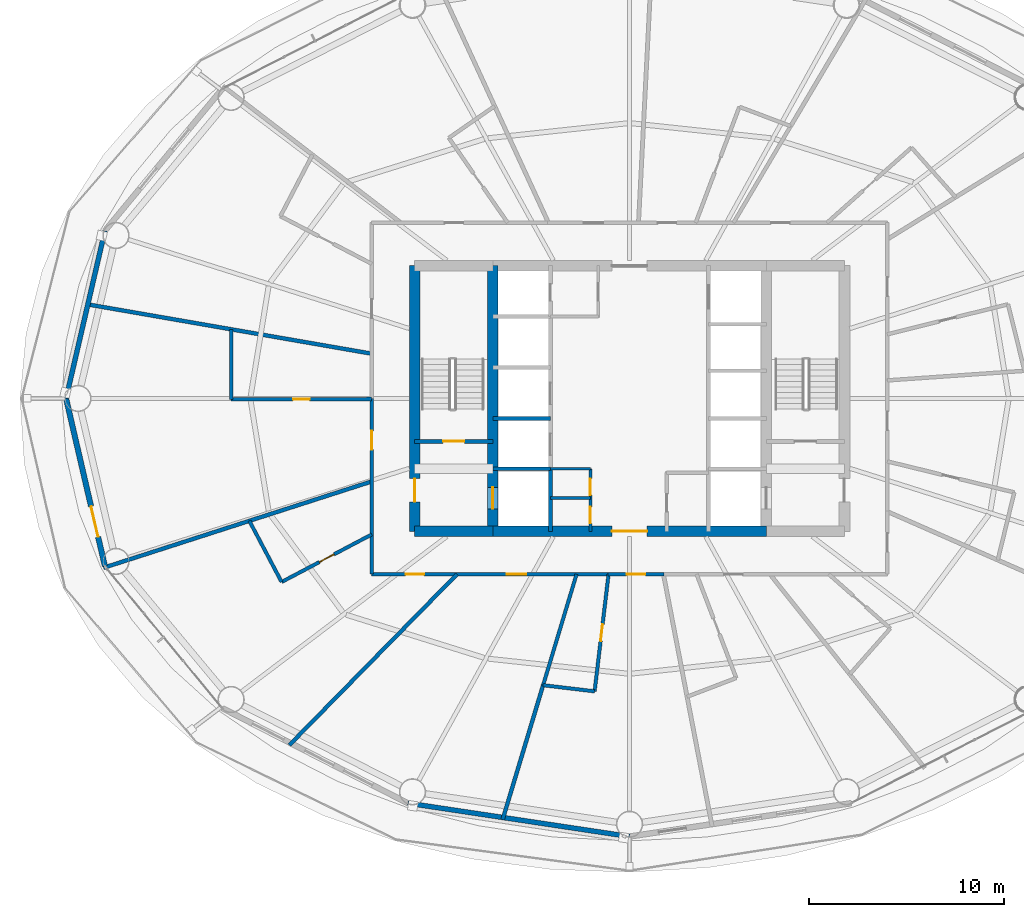
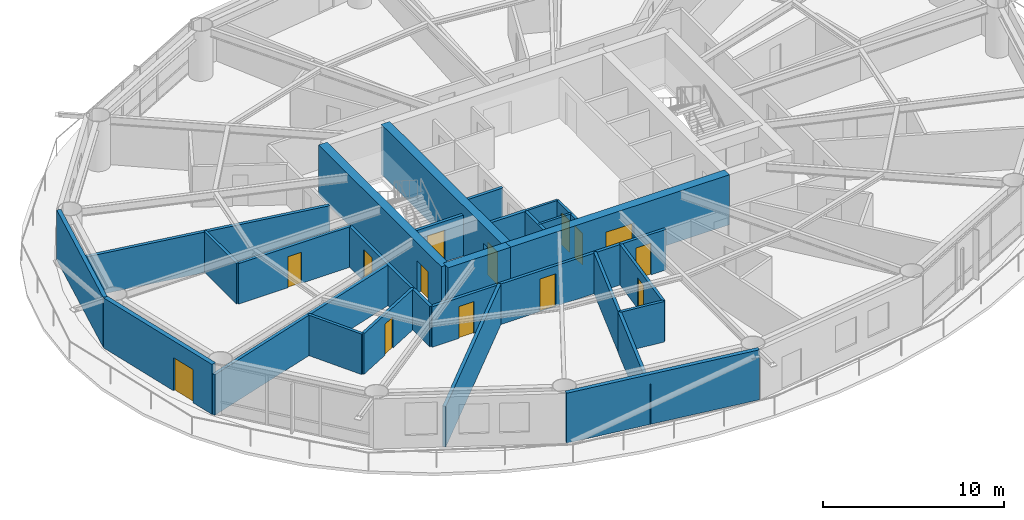
# One storey, part 18 of 24: 28 walls, 14 doors, 14 openings.
"""IFC4 building model written with IfcOpenShell, lengths in metres."""

from ifc_helpers import new_model, si_unit, direction, frame, frame_2d, origin, place, context, subcontext, project, spatial, rectangle, extrude, material, layer, layer_set, type_object, element, fill, save


model = new_model("IFC4")

# Units and contexts
model_context = context("Model", 3, precision=1e-05, world=origin(), true_north=direction((0.0, 1.0)))
body_context = subcontext(model_context, "Body", "Model", "MODEL_VIEW")
ifc_project = project(units=[si_unit("LENGTHUNIT", "METRE"), si_unit("AREAUNIT", "SQUARE_METRE"), si_unit("VOLUMEUNIT", "CUBIC_METRE"), si_unit("PLANEANGLEUNIT", "RADIAN"), si_unit("MASSUNIT", "GRAM", prefix="KILO")], contexts=[model_context])

# Site, building, storey
site_placement = place(None, origin())
site = spatial("IfcSite", under=ifc_project, at=site_placement, CompositionType="ELEMENT")
building_placement = place(site_placement, origin())
building = spatial("IfcBuilding", under=site, at=building_placement, Name="Sarneth Arch Tower", CompositionType="ELEMENT")
storey_placement = place(building_placement, frame((0.0, 0.0, 91.199951171875)))
storey = spatial("IfcBuildingStorey", under=building, at=storey_placement, Name="L22", CompositionType="ELEMENT", Elevation=91.199951171875)

# Wall
ifc_material_1 = material(Name="Concrete C60/75", Category="concrete")
ifc_layer_1 = layer(ifc_material_1, 0.550048828125)
ifc_layer_set_1 = layer_set([ifc_layer_1], Name="Concrete C60/75")
wall_type_1 = type_object("IfcWallType", Name="WALL-CORE-550", PredefinedType="SHEAR", material=ifc_layer_set_1)
wall_1_placement = place(storey_placement, frame((37.0, 35.199951171875, 0.0), z_axis=(0.0, 0.0, 1.0), x_axis=(1.0, 0.0, 0.0)))
element("IfcWall", 1, at=wall_1_placement, inside=storey, type_object=wall_type_1, Name="L22 Core shear wall S-W", PredefinedType="SHEAR", context=body_context, shape_type="SweptSolid", body=[
    extrude(rectangle(XDim=4.0, YDim=0.550048828125, at=frame_2d((2.0, 0.0))), origin(), (0.0, 0.0, 1.0), 3.380126953125),
])

# Wall, opening, door
wall_2_placement = place(storey_placement, frame((41.0, 35.199951171875, 0.0), z_axis=(0.0, 0.0, 1.0), x_axis=(1.0, 0.0, 0.0)))
wall_2 = element("IfcWall", 2, at=wall_2_placement, inside=storey, type_object=wall_type_1, Name="L22 Core shear wall S-M", PredefinedType="SHEAR", context=body_context, shape_type="SweptSolid", body=[
    extrude(rectangle(XDim=14.0, YDim=0.550048828125, at=frame_2d((7.0, 0.0))), origin(), (0.0, 0.0, 1.0), 3.380126953125),
])
opening_1_placement = place(wall_2_placement, frame((6.10009765625, 0.0, 0.0)))
opening_1 = element("IfcOpeningElement", 3, at=opening_1_placement, cuts=wall_2, Name="Opening FD-01", PredefinedType="OPENING", context=body_context, shape_type="SweptSolid", body=[
    extrude(rectangle(XDim=1.800048828125, YDim=2.25, at=frame_2d((0.89990234375, 1.125))), frame((0.0, 0.284912109375, 0.0), z_axis=(0.0, -1.0, 0.0), x_axis=(1.0, 0.0, 0.0)), (0.0, 0.0, 1.0), 0.570068359375),
])
ifc_material_2 = material(Name="Galvanised Steel S275 fire door set", Category="steel")
door_type_1 = type_object("IfcDoorType", Name="DR-FD90-1800", OperationType="DOUBLE_DOOR_SINGLE_SWING", PredefinedType="DOOR", material=ifc_material_2)
door_1_placement = place(opening_1_placement, origin())
door_1 = element("IfcDoor", 4, at=door_1_placement, inside=storey, type_object=door_type_1, Name="L22 Central lift lobby south door", OperationType="DOUBLE_DOOR_SINGLE_SWING", OverallHeight=2.25, OverallWidth=1.800048828125, PredefinedType="DOOR", context=body_context, shape_type="SweptSolid", body=[
    extrude(rectangle(XDim=1.800048828125, YDim=2.25, at=frame_2d((0.89990234375, 1.125))), frame((0.0, 0.02490234375, 0.0), z_axis=(0.0, -1.0, 0.0), x_axis=(1.0, 0.0, 0.0)), (0.0, 0.0, 1.0), 0.050048828125),
])
fill(opening_1, door_1)

wall_3_placement = place(storey_placement, frame((37.0, 35.199951171875, 0.0), z_axis=(0.0, 0.0, 1.0), x_axis=(0.0, 1.0, 0.0)))
wall_3 = element("IfcWall", 5, at=wall_3_placement, inside=storey, type_object=wall_type_1, Name="L22 Core shear wall W", PredefinedType="SHEAR", context=body_context, shape_type="SweptSolid", body=[
    extrude(rectangle(XDim=13.60009765625, YDim=0.550048828125, at=frame_2d((6.800048828125, 0.0))), origin(), (0.0, 0.0, 1.0), 3.380126953125),
])
opening_2_placement = place(wall_3_placement, frame((1.5, 0.0, 0.0)))
opening_2 = element("IfcOpeningElement", 6, at=opening_2_placement, cuts=wall_3, Name="Opening FD-02", PredefinedType="OPENING", context=body_context, shape_type="SweptSolid", body=[
    extrude(rectangle(XDim=1.199951171875, YDim=2.14990234375, at=frame_2d((0.60009765625, 1.074951171875))), frame((0.0, 0.284912109375, 0.0), z_axis=(0.0, -1.0, 0.0), x_axis=(1.0, 0.0, 0.0)), (0.0, 0.0, 1.0), 0.570068359375),
])
ifc_material_3 = material(Name="Galvanised Steel S275 fire door set", Category="steel")
door_type_2 = type_object("IfcDoorType", Name="DR-FD90-1200", OperationType="SINGLE_SWING_LEFT", PredefinedType="DOOR", material=ifc_material_3)
door_2_placement = place(opening_2_placement, origin())
door_2 = element("IfcDoor", 7, at=door_2_placement, inside=storey, type_object=door_type_2, Name="L22 Firefighting lobby 1 exit door", OperationType="SINGLE_SWING_LEFT", OverallHeight=2.14990234375, OverallWidth=1.199951171875, PredefinedType="DOOR", context=body_context, shape_type="SweptSolid", body=[
    extrude(rectangle(XDim=1.199951171875, YDim=2.14990234375, at=frame_2d((0.60009765625, 1.074951171875))), frame((0.0, 0.02490234375, 0.0), z_axis=(0.0, -1.0, 0.0), x_axis=(1.0, 0.0, 0.0)), (0.0, 0.0, 1.0), 0.050048828125),
])
fill(opening_2, door_2)

wall_4_placement = place(storey_placement, frame((41.0, 35.199951171875, 0.0), z_axis=(0.0, 0.0, 1.0), x_axis=(0.0, 1.0, 0.0)))
wall_4 = element("IfcWall", 8, at=wall_4_placement, inside=storey, type_object=wall_type_1, Name="L22 Core shear wall WEB-W", PredefinedType="SHEAR", context=body_context, shape_type="SweptSolid", body=[
    extrude(rectangle(XDim=13.60009765625, YDim=0.550048828125, at=frame_2d((6.800048828125, 0.0))), origin(), (0.0, 0.0, 1.0), 3.380126953125),
])
opening_3_placement = place(wall_4_placement, frame((1.14990234375, 0.0, 0.0)))
opening_3 = element("IfcOpeningElement", 9, at=opening_3_placement, cuts=wall_4, Name="Opening LD-1", PredefinedType="OPENING", context=body_context, shape_type="SweptSolid", body=[
    extrude(rectangle(XDim=1.10009765625, YDim=2.199951171875, at=frame_2d((0.550048828125, 1.10009765625))), frame((0.0, 0.284912109375, 0.0), z_axis=(0.0, -1.0, 0.0), x_axis=(1.0, 0.0, 0.0)), (0.0, 0.0, 1.0), 0.570068359375),
])
ifc_material_4 = material(Name="Brushed Stainless Steel 304 lift landing door", Category="steel")
door_type_3 = type_object("IfcDoorType", Name="DR-LIFT-SLIDE-1100", OperationType="SLIDING_TO_LEFT", PredefinedType="DOOR", material=ifc_material_4)
door_3_placement = place(opening_3_placement, origin())
door_3 = element("IfcDoor", 10, at=door_3_placement, inside=storey, type_object=door_type_3, Name="L22 Firefighting lift landing door FL-1", OperationType="SLIDING_TO_LEFT", OverallHeight=2.199951171875, OverallWidth=1.10009765625, PredefinedType="DOOR", context=body_context, shape_type="SweptSolid", body=[
    extrude(rectangle(XDim=1.10009765625, YDim=2.199951171875, at=frame_2d((0.550048828125, 1.10009765625))), frame((0.0, 0.02490234375, 0.0), z_axis=(0.0, -1.0, 0.0), x_axis=(1.0, 0.0, 0.0)), (0.0, 0.0, 1.0), 0.050048828125),
])
fill(opening_3, door_3)

# Wall, openings, doors
ifc_material_5 = material(Name="Double steel-stud corridor fire wall", Category="steel")
ifc_layer_2 = layer(ifc_material_5, 0.18994140625)
ifc_layer_set_2 = layer_set([ifc_layer_2], Name="Double steel-stud corridor fire wall")
wall_type_2 = type_object("IfcWallType", Name="WALL-CORR-190", PredefinedType="PARTITIONING", material=ifc_layer_set_2)
wall_5_placement = place(storey_placement, frame((46.958984375, 33.0, 0.0), z_axis=(0.0, 0.0, 1.0), x_axis=(-1.0, 0.0, 0.0)))
wall_5 = element("IfcWall", 11, at=wall_5_placement, inside=storey, type_object=wall_type_2, Name="L22 Interior partition W-L22-TP-019", PredefinedType="PARTITIONING", context=body_context, shape_type="SweptSolid", body=[
    extrude(rectangle(XDim=12.158935546875, YDim=0.18994140625, at=frame_2d((6.07958984375, 0.0))), origin(), (0.0, 0.0, 1.0), 2.739990234375),
])
opening_4_placement = place(wall_5_placement, frame((4.23681640625, 0.0, 0.0)))
opening_4 = element("IfcOpeningElement", 12, at=opening_4_placement, cuts=wall_5, Name="Opening FD-08", PredefinedType="OPENING", context=body_context, shape_type="SweptSolid", body=[
    extrude(rectangle(XDim=1.0, YDim=2.199951171875, at=frame_2d((0.5, 1.10009765625))), frame((0.0, 0.10498046875, 0.0), z_axis=(0.0, -1.0, 0.0), x_axis=(1.0, 0.0, 0.0)), (0.0, 0.0, 1.0), 0.2099609375),
])
opening_5_placement = place(wall_5_placement, frame((9.477783203125, 0.0, 0.0)))
opening_5 = element("IfcOpeningElement", 13, at=opening_5_placement, cuts=wall_5, Name="Opening FD-09", PredefinedType="OPENING", context=body_context, shape_type="SweptSolid", body=[
    extrude(rectangle(XDim=0.949951171875, YDim=2.14990234375, at=frame_2d((0.47509765625, 1.074951171875))), frame((0.0, 0.10498046875, 0.0), z_axis=(0.0, -1.0, 0.0), x_axis=(1.0, 0.0, 0.0)), (0.0, 0.0, 1.0), 0.2099609375),
])
ifc_material_6 = material(Name="Hardwood timber acoustic fire door", Category="wood")
door_type_4 = type_object("IfcDoorType", Name="DR-FD60-1000", OperationType="SINGLE_SWING_LEFT", PredefinedType="DOOR", material=ifc_material_6)
door_4_placement = place(opening_4_placement, origin())
door_4 = element("IfcDoor", 14, at=door_4_placement, inside=storey, type_object=door_type_4, Name="L22 Interior door DR-L22-AMN-09", OperationType="SINGLE_SWING_LEFT", OverallHeight=2.199951171875, OverallWidth=1.0, PredefinedType="DOOR", context=body_context, shape_type="SweptSolid", body=[
    extrude(rectangle(XDim=1.0, YDim=2.199951171875, at=frame_2d((0.5, 1.10009765625))), frame((0.0, 0.02490234375, 0.0), z_axis=(0.0, -1.0, 0.0), x_axis=(1.0, 0.0, 0.0)), (0.0, 0.0, 1.0), 0.050048828125),
])
fill(opening_4, door_4)
ifc_material_7 = material(Name="Hardwood timber hotel entrance fire door", Category="wood")
door_type_5 = type_object("IfcDoorType", Name="DR-FD60-950", OperationType="SINGLE_SWING_RIGHT", PredefinedType="DOOR", material=ifc_material_7)
door_5_placement = place(opening_5_placement, origin())
door_5 = element("IfcDoor", 15, at=door_5_placement, inside=storey, type_object=door_type_5, Name="L22 Interior door DR-L22-KEY-08", OperationType="SINGLE_SWING_RIGHT", OverallHeight=2.14990234375, OverallWidth=0.949951171875, PredefinedType="DOOR", context=body_context, shape_type="SweptSolid", body=[
    extrude(rectangle(XDim=0.949951171875, YDim=2.14990234375, at=frame_2d((0.47509765625, 1.074951171875))), frame((0.0, 0.02490234375, 0.0), z_axis=(0.0, -1.0, 0.0), x_axis=(1.0, 0.0, 0.0)), (0.0, 0.0, 1.0), 0.050048828125),
])
fill(opening_5, door_5)

# Wall, opening, door
wall_6_placement = place(storey_placement, frame((34.800048828125, 33.0, 0.0), z_axis=(0.0, 0.0, 1.0), x_axis=(0.0, 1.0, 0.0)))
wall_6 = element("IfcWall", 16, at=wall_6_placement, inside=storey, type_object=wall_type_2, Name="L22 Interior partition W-L22-TP-014", PredefinedType="PARTITIONING", context=body_context, shape_type="SweptSolid", body=[
    extrude(rectangle(XDim=9.003662109375, YDim=0.18994140625, at=frame_2d((4.501953125, 0.0))), origin(), (0.0, 0.0, 1.0), 2.739990234375),
])
opening_6_placement = place(wall_6_placement, frame((6.385009765625, 0.0, 0.0)))
opening_6 = element("IfcOpeningElement", 17, at=opening_6_placement, cuts=wall_6, Name="Opening FD-09", PredefinedType="OPENING", context=body_context, shape_type="SweptSolid", body=[
    extrude(rectangle(XDim=0.949951171875, YDim=2.14990234375, at=frame_2d((0.47509765625, 1.074951171875))), frame((0.0, 0.10498046875, 0.0), z_axis=(0.0, -1.0, 0.0), x_axis=(1.0, 0.0, 0.0)), (0.0, 0.0, 1.0), 0.2099609375),
])
door_6_placement = place(opening_6_placement, origin())
door_6 = element("IfcDoor", 18, at=door_6_placement, inside=storey, type_object=door_type_5, Name="L22 Interior door DR-L22-KEY-07", OperationType="SINGLE_SWING_RIGHT", OverallHeight=2.14990234375, OverallWidth=0.949951171875, PredefinedType="DOOR", context=body_context, shape_type="SweptSolid", body=[
    extrude(rectangle(XDim=0.949951171875, YDim=2.14990234375, at=frame_2d((0.47509765625, 1.074951171875))), frame((0.0, 0.02490234375, 0.0), z_axis=(0.0, -1.0, 0.0), x_axis=(1.0, 0.0, 0.0)), (0.0, 0.0, 1.0), 0.050048828125),
])
fill(opening_6, door_6)

wall_7_placement = place(storey_placement, frame((49.76953125, 33.0, 0.0), z_axis=(0.0, 0.0, 1.0), x_axis=(-1.0, 0.0, 0.0)))
wall_7 = element("IfcWall", 19, at=wall_7_placement, inside=storey, type_object=wall_type_2, Name="L22 Interior partition W-L22-TP-020", PredefinedType="PARTITIONING", context=body_context, shape_type="SweptSolid", body=[
    extrude(rectangle(XDim=2.875, YDim=0.18994140625, at=frame_2d((1.4375, 0.0))), origin(), (0.0, 0.0, 1.0), 2.739990234375),
])
opening_7_placement = place(wall_7_placement, frame((0.96240234375, 0.0, 0.0)))
opening_7 = element("IfcOpeningElement", 20, at=opening_7_placement, cuts=wall_7, Name="Opening FD-09", PredefinedType="OPENING", context=body_context, shape_type="SweptSolid", body=[
    extrude(rectangle(XDim=0.949951171875, YDim=2.14990234375, at=frame_2d((0.47509765625, 1.074951171875))), frame((0.0, 0.10498046875, 0.0), z_axis=(0.0, -1.0, 0.0), x_axis=(1.0, 0.0, 0.0)), (0.0, 0.0, 1.0), 0.2099609375),
])
door_7_placement = place(opening_7_placement, origin())
door_7 = element("IfcDoor", 21, at=door_7_placement, inside=storey, type_object=door_type_5, Name="L22 Interior door DR-L22-KEY-10", OperationType="SINGLE_SWING_RIGHT", OverallHeight=2.14990234375, OverallWidth=0.949951171875, PredefinedType="DOOR", context=body_context, shape_type="SweptSolid", body=[
    extrude(rectangle(XDim=0.949951171875, YDim=2.14990234375, at=frame_2d((0.47509765625, 1.074951171875))), frame((0.0, 0.02490234375, 0.0), z_axis=(0.0, -1.0, 0.0), x_axis=(1.0, 0.0, 0.0)), (0.0, 0.0, 1.0), 0.050048828125),
])
fill(opening_7, door_7)

# Walls
ifc_material_8 = material(Name="Extruded terracotta rainscreen on Concrete C40/50 backing", Category="masonry")
ifc_layer_3 = layer(ifc_material_8, 0.25)
ifc_layer_set_3 = layer_set([ifc_layer_3], Name="Extruded terracotta rainscreen on Concrete C40/50 backing")
wall_type_3 = type_object("IfcWallType", Name="WALL-EXT-SPAND-250", PredefinedType="SOLIDWALL", material=ifc_layer_set_3)
wall_8_placement = place(storey_placement, frame((21.138671875, 50.58349609375, 0.0), z_axis=(0.0, 0.0, 1.0), x_axis=(-0.22558597182, -0.974223264616, 0.0)))
element("IfcWall", 22, at=wall_8_placement, inside=storey, type_object=wall_type_3, Name="L22 Terracotta perimeter wall 08", PredefinedType="SOLIDWALL", context=body_context, shape_type="SweptSolid", body=[
    extrude(rectangle(XDim=8.810546875, YDim=0.25, at=frame_2d((4.4052734375, 0.0))), origin(), (0.0, 0.0, 1.0), 3.380126953125),
])
wall_9_placement = place(storey_placement, frame((36.648681640625, 21.27734375, 0.0), z_axis=(0.0, 0.0, 1.0), x_axis=(0.988877774656, -0.148730450117, 0.0)))
element("IfcWall", 23, at=wall_9_placement, inside=storey, type_object=wall_type_3, Name="L22 Terracotta perimeter wall 12", PredefinedType="SOLIDWALL", context=body_context, shape_type="SweptSolid", body=[
    extrude(rectangle(XDim=11.47900390625, YDim=0.25, at=frame_2d((5.739501953125, 0.0))), origin(), (0.0, 0.0, 1.0), 3.380126953125),
])

# Wall, opening, door
ifc_material_9 = material(Name="Extruded terracotta rainscreen on Concrete C40/50 backing", Category="masonry")
ifc_layer_4 = layer(ifc_material_9, 0.280029296875)
ifc_layer_set_4 = layer_set([ifc_layer_4], Name="Extruded terracotta rainscreen on Concrete C40/50 backing")
wall_type_4 = type_object("IfcWallType", Name="WALL-EXT-TERRA-280", PredefinedType="SOLIDWALL", material=ifc_layer_set_4)
wall_10_placement = place(storey_placement, frame((19.151123046875, 42.0, 0.0), z_axis=(0.0, 0.0, 1.0), x_axis=(0.22558597182, -0.974223264616, 0.0)))
wall_10 = element("IfcWall", 24, at=wall_10_placement, inside=storey, type_object=wall_type_4, Name="L22 Terracotta perimeter wall 09", PredefinedType="SOLIDWALL", context=body_context, shape_type="SweptSolid", body=[
    extrude(rectangle(XDim=8.810546875, YDim=0.280029296875, at=frame_2d((4.4052734375, 0.0))), origin(), (0.0, 0.0, 1.0), 3.380126953125),
])
opening_8_placement = place(wall_10_placement, frame((5.674560546875, 0.0, 0.0)))
opening_8 = element("IfcOpeningElement", 25, at=opening_8_placement, cuts=wall_10, Name="Opening BD-1", PredefinedType="OPENING", context=body_context, shape_type="SweptSolid", body=[
    extrude(rectangle(XDim=1.60009765625, YDim=2.25, at=frame_2d((0.800048828125, 1.125))), frame((0.0, 0.14990234375, 0.0), z_axis=(0.0, -1.0, 0.0), x_axis=(1.0, 0.0, 0.0)), (0.0, 0.0, 1.0), 0.300048828125),
])
ifc_material_10 = material(Name="Thermally broken Aluminium 6063-T6 and laminated safety glass", Category="aluminium")
door_type_6 = type_object("IfcDoorType", Name="DR-BALC-GLZ-1600", OperationType="DOUBLE_DOOR_SINGLE_SWING", PredefinedType="DOOR", material=ifc_material_10)
door_8_placement = place(opening_8_placement, origin())
door_8 = element("IfcDoor", 26, at=door_8_placement, inside=storey, type_object=door_type_6, Name="L22 Balcony glazed door 09", OperationType="DOUBLE_DOOR_SINGLE_SWING", OverallHeight=2.25, OverallWidth=1.60009765625, PredefinedType="DOOR", context=body_context, shape_type="SweptSolid", body=[
    extrude(rectangle(XDim=1.60009765625, YDim=2.25, at=frame_2d((0.800048828125, 1.125))), frame((0.0, 0.02490234375, 0.0), z_axis=(0.0, -1.0, 0.0), x_axis=(1.0, 0.0, 0.0)), (0.0, 0.0, 1.0), 0.050048828125),
])
fill(opening_8, door_8)

# Walls
ifc_material_11 = material(Name="Acoustic gypsum stud partition", Category="gypsum")
ifc_layer_5 = layer(ifc_material_11, 0.14990234375)
ifc_layer_set_5 = layer_set([ifc_layer_5], Name="Acoustic gypsum stud partition")
wall_type_5 = type_object("IfcWallType", Name="WALL-PART-150", PredefinedType="PARTITIONING", material=ifc_layer_set_5)
for number, where, z_axis, x_axis, name in (
    (27, (43.949951171875, 36.89990234375, 0.0), (0.0, 0.0, 1.0), (1.0, 0.0, 0.0), "L22 Interior partition W-L22-CSUP-M"),
    (28, (43.949951171875, 38.39990234375, 0.0), (0.0, 0.0, 1.0), (1.0, 0.0, 0.0), "L22 Interior partition W-L22-CSUP-N"),
):
    element("IfcWall", number, at=place(storey_placement, frame(where, z_axis=z_axis, x_axis=x_axis)), inside=storey, type_object=wall_type_5, Name=name, PredefinedType="PARTITIONING", context=body_context, shape_type="SweptSolid", body=[
        extrude(rectangle(XDim=2.050048828125, YDim=0.14990234375, at=frame_2d((1.02490234375, 0.0))), origin(), (0.0, 0.0, 1.0), 2.739990234375),
    ])

# Wall, openings, doors
wall_11_placement = place(storey_placement, frame((46.0, 35.199951171875, 0.0), z_axis=(0.0, 0.0, 1.0), x_axis=(0.0, 1.0, 0.0)))
wall_11 = element("IfcWall", 29, at=wall_11_placement, inside=storey, type_object=wall_type_5, Name="L22 Interior partition W-L22-CSUP-E", PredefinedType="PARTITIONING", context=body_context, shape_type="SweptSolid", body=[
    extrude(rectangle(XDim=3.199951171875, YDim=0.14990234375, at=frame_2d((1.60009765625, 0.0))), origin(), (0.0, 0.0, 1.0), 2.739990234375),
])
opening_9_placement = place(wall_11_placement, frame((0.39990234375, 0.0, 0.0)))
opening_9 = element("IfcOpeningElement", 30, at=opening_9_placement, cuts=wall_11, Name="Opening FD-11", PredefinedType="OPENING", context=body_context, shape_type="SweptSolid", body=[
    extrude(rectangle(XDim=0.85009765625, YDim=2.14990234375, at=frame_2d((0.425048828125, 1.074951171875))), frame((0.0, 0.0849609375, 0.0), z_axis=(0.0, -1.0, 0.0), x_axis=(1.0, 0.0, 0.0)), (0.0, 0.0, 1.0), 0.169921875),
])
opening_10_placement = place(wall_11_placement, frame((1.85009765625, 0.0, 0.0)))
opening_10 = element("IfcOpeningElement", 31, at=opening_10_placement, cuts=wall_11, Name="Opening FD-11", PredefinedType="OPENING", context=body_context, shape_type="SweptSolid", body=[
    extrude(rectangle(XDim=0.85009765625, YDim=2.14990234375, at=frame_2d((0.425048828125, 1.074951171875))), frame((0.0, 0.0849609375, 0.0), z_axis=(0.0, -1.0, 0.0), x_axis=(1.0, 0.0, 0.0)), (0.0, 0.0, 1.0), 0.169921875),
])
ifc_material_12 = material(Name="Galvanised Steel S275 closet fire door", Category="steel")
door_type_7 = type_object("IfcDoorType", Name="DR-FD60-850", OperationType="SINGLE_SWING_LEFT", PredefinedType="DOOR", material=ifc_material_12)
door_9_placement = place(opening_9_placement, origin())
door_9 = element("IfcDoor", 32, at=door_9_placement, inside=storey, type_object=door_type_7, Name="L22 Interior door DR-L22-CSUP1", OperationType="SINGLE_SWING_LEFT", OverallHeight=2.14990234375, OverallWidth=0.85009765625, PredefinedType="DOOR", context=body_context, shape_type="SweptSolid", body=[
    extrude(rectangle(XDim=0.85009765625, YDim=2.14990234375, at=frame_2d((0.425048828125, 1.074951171875))), frame((0.0, 0.02490234375, 0.0), z_axis=(0.0, -1.0, 0.0), x_axis=(1.0, 0.0, 0.0)), (0.0, 0.0, 1.0), 0.050048828125),
])
fill(opening_9, door_9)
door_10_placement = place(opening_10_placement, origin())
door_10 = element("IfcDoor", 33, at=door_10_placement, inside=storey, type_object=door_type_7, Name="L22 Interior door DR-L22-CSUP2", OperationType="SINGLE_SWING_RIGHT", OverallHeight=2.14990234375, OverallWidth=0.85009765625, PredefinedType="DOOR", context=body_context, shape_type="SweptSolid", body=[
    extrude(rectangle(XDim=0.85009765625, YDim=2.14990234375, at=frame_2d((0.425048828125, 1.074951171875))), frame((0.0, 0.02490234375, 0.0), z_axis=(0.0, -1.0, 0.0), x_axis=(1.0, 0.0, 0.0)), (0.0, 0.0, 1.0), 0.050048828125),
])
fill(opening_10, door_10)

# Wall, opening, door
ifc_material_13 = material(Name="Moisture-resistant plumbing chase wall", Category="gypsum")
ifc_layer_6 = layer(ifc_material_13, 0.179931640625)
ifc_layer_set_6 = layer_set([ifc_layer_6], Name="Moisture-resistant plumbing chase wall")
wall_type_6 = type_object("IfcWallType", Name="WALL-PLUMB-180", PredefinedType="PLUMBINGWALL", material=ifc_layer_set_6)
wall_12_placement = place(storey_placement, frame((27.604248046875, 41.956298828125, 0.0), z_axis=(0.0, 0.0, 1.0), x_axis=(0.999997715604, 0.002137472216, 0.0)))
wall_12 = element("IfcWall", 34, at=wall_12_placement, inside=storey, type_object=wall_type_6, Name="L22 Interior partition W-L22-TP-053", PredefinedType="PLUMBINGWALL", context=body_context, shape_type="SweptSolid", body=[
    extrude(rectangle(XDim=7.19580078125, YDim=0.179931640625, at=frame_2d((3.597900390625, 0.0))), origin(), (0.0, 0.0, 1.0), 2.739990234375),
])
opening_11_placement = place(wall_12_placement, frame((3.1728515625, 0.0, 0.0)))
opening_11 = element("IfcOpeningElement", 35, at=opening_11_placement, cuts=wall_12, Name="Opening ID-02", PredefinedType="OPENING", context=body_context, shape_type="SweptSolid", body=[
    extrude(rectangle(XDim=0.85009765625, YDim=2.10009765625, at=frame_2d((0.425048828125, 1.050048828125))), frame((0.0, 0.099853515625, 0.0), z_axis=(0.0, -1.0, 0.0), x_axis=(1.0, 0.0, 0.0)), (0.0, 0.0, 1.0), 0.199951171875),
])
ifc_material_14 = material(Name="Moisture-resistant bathroom timber door", Category="wood")
door_type_8 = type_object("IfcDoorType", Name="DR-INT-850", OperationType="SINGLE_SWING_RIGHT", PredefinedType="DOOR", material=ifc_material_14)
door_11_placement = place(opening_11_placement, origin())
door_11 = element("IfcDoor", 36, at=door_11_placement, inside=storey, type_object=door_type_8, Name="L22 Interior door DR-L22-ENS-07", OperationType="SINGLE_SWING_RIGHT", OverallHeight=2.10009765625, OverallWidth=0.85009765625, PredefinedType="DOOR", context=body_context, shape_type="SweptSolid", body=[
    extrude(rectangle(XDim=0.85009765625, YDim=2.10009765625, at=frame_2d((0.425048828125, 1.050048828125))), frame((0.0, 0.02490234375, 0.0), z_axis=(0.0, -1.0, 0.0), x_axis=(1.0, 0.0, 0.0)), (0.0, 0.0, 1.0), 0.050048828125),
])
fill(opening_11, door_11)

wall_13_placement = place(storey_placement, frame((46.9267578125, 33.0, 0.0), z_axis=(0.0, 0.0, 1.0), x_axis=(-0.118379942802, -0.99296837268, 0.0)))
wall_13 = element("IfcWall", 37, at=wall_13_placement, inside=storey, type_object=wall_type_6, Name="L22 Interior partition W-L22-TP-061", PredefinedType="PLUMBINGWALL", context=body_context, shape_type="SweptSolid", body=[
    extrude(rectangle(XDim=6.03857421875, YDim=0.179931640625, at=frame_2d((3.019287109375, 0.0))), origin(), (0.0, 0.0, 1.0), 2.739990234375),
])
opening_12_placement = place(wall_13_placement, frame((2.59423828125, 0.0, 0.0)))
opening_12 = element("IfcOpeningElement", 38, at=opening_12_placement, cuts=wall_13, Name="Opening ID-02", PredefinedType="OPENING", context=body_context, shape_type="SweptSolid", body=[
    extrude(rectangle(XDim=0.85009765625, YDim=2.10009765625, at=frame_2d((0.425048828125, 1.050048828125))), frame((0.0, 0.099853515625, 0.0), z_axis=(0.0, -1.0, 0.0), x_axis=(1.0, 0.0, 0.0)), (0.0, 0.0, 1.0), 0.199951171875),
])
door_12_placement = place(opening_12_placement, origin())
door_12 = element("IfcDoor", 39, at=door_12_placement, inside=storey, type_object=door_type_8, Name="L22 Interior door DR-L22-ENS-10", OperationType="SINGLE_SWING_LEFT", OverallHeight=2.10009765625, OverallWidth=0.85009765625, PredefinedType="DOOR", context=body_context, shape_type="SweptSolid", body=[
    extrude(rectangle(XDim=0.85009765625, YDim=2.10009765625, at=frame_2d((0.425048828125, 1.050048828125))), frame((0.0, 0.02490234375, 0.0), z_axis=(0.0, -1.0, 0.0), x_axis=(1.0, 0.0, 0.0)), (0.0, 0.0, 1.0), 0.050048828125),
])
fill(opening_12, door_12)

# Wall
wall_14_placement = place(storey_placement, frame((43.575927734375, 27.318359375, 0.0), z_axis=(0.0, 0.0, 1.0), x_axis=(0.288532873685, 0.957469989505, 0.0)))
element("IfcWall", 40, at=wall_14_placement, inside=storey, type_object=wall_type_6, Name="L22 Interior partition W-L22-TP-060", PredefinedType="PLUMBINGWALL", context=body_context, shape_type="SweptSolid", body=[
    extrude(rectangle(XDim=5.93408203125, YDim=0.179931640625, at=frame_2d((2.967041015625, 0.0))), origin(), (0.0, 0.0, 1.0), 2.739990234375),
])

# Wall, opening, door
wall_15_placement = place(storey_placement, frame((30.18701171875, 32.602294921875, 0.0), z_axis=(0.0, 0.0, 1.0), x_axis=(0.884469007168, 0.466598944877, 0.0)))
wall_15 = element("IfcWall", 41, at=wall_15_placement, inside=storey, type_object=wall_type_6, Name="L22 Interior partition W-L22-TP-057", PredefinedType="PLUMBINGWALL", context=body_context, shape_type="SweptSolid", body=[
    extrude(rectangle(XDim=5.215576171875, YDim=0.179931640625, at=frame_2d((2.60791015625, 0.0))), origin(), (0.0, 0.0, 1.0), 2.739990234375),
])
opening_13_placement = place(wall_15_placement, frame((2.182861328125, 0.0, 0.0)))
opening_13 = element("IfcOpeningElement", 42, at=opening_13_placement, cuts=wall_15, Name="Opening ID-02", PredefinedType="OPENING", context=body_context, shape_type="SweptSolid", body=[
    extrude(rectangle(XDim=0.85009765625, YDim=2.10009765625, at=frame_2d((0.425048828125, 1.050048828125))), frame((0.0, 0.099853515625, 0.0), z_axis=(0.0, -1.0, 0.0), x_axis=(1.0, 0.0, 0.0)), (0.0, 0.0, 1.0), 0.199951171875),
])
door_13_placement = place(opening_13_placement, origin())
door_13 = element("IfcDoor", 43, at=door_13_placement, inside=storey, type_object=door_type_8, Name="L22 Interior door DR-L22-ENS-08", OperationType="SINGLE_SWING_RIGHT", OverallHeight=2.10009765625, OverallWidth=0.85009765625, PredefinedType="DOOR", context=body_context, shape_type="SweptSolid", body=[
    extrude(rectangle(XDim=0.85009765625, YDim=2.10009765625, at=frame_2d((0.425048828125, 1.050048828125))), frame((0.0, 0.02490234375, 0.0), z_axis=(0.0, -1.0, 0.0), x_axis=(1.0, 0.0, 0.0)), (0.0, 0.0, 1.0), 0.050048828125),
])
fill(opening_13, door_13)

# Walls
wall_16_placement = place(storey_placement, frame((27.596435546875, 45.541259765625, 0.0), z_axis=(0.0, 0.0, 1.0), x_axis=(0.002179237538, -0.999997625459, 0.0)))
element("IfcWall", 44, at=wall_16_placement, inside=storey, type_object=wall_type_6, Name="L22 Interior partition W-L22-TP-052", PredefinedType="PLUMBINGWALL", context=body_context, shape_type="SweptSolid", body=[
    extrude(rectangle(XDim=3.5849609375, YDim=0.179931640625, at=frame_2d((1.79248046875, 0.0))), origin(), (0.0, 0.0, 1.0), 2.739990234375),
])
wall_17_placement = place(storey_placement, frame((28.53515625, 35.733154296875, 0.0), z_axis=(0.0, 0.0, 1.0), x_axis=(0.466638742987, -0.884448010651, 0.0)))
element("IfcWall", 45, at=wall_17_placement, inside=storey, type_object=wall_type_6, Name="L22 Interior partition W-L22-TP-056", PredefinedType="PLUMBINGWALL", context=body_context, shape_type="SweptSolid", body=[
    extrude(rectangle(XDim=3.539794921875, YDim=0.179931640625, at=frame_2d((1.77001953125, 0.0))), origin(), (0.0, 0.0, 1.0), 2.739990234375),
])
wall_18_placement = place(storey_placement, frame((46.2119140625, 27.00390625, 0.0), z_axis=(0.0, 0.0, 1.0), x_axis=(-0.992959714657, 0.118452543529, 0.0)))
element("IfcWall", 46, at=wall_18_placement, inside=storey, type_object=wall_type_6, Name="L22 Interior partition W-L22-TP-062", PredefinedType="PLUMBINGWALL", context=body_context, shape_type="SweptSolid", body=[
    extrude(rectangle(XDim=2.65478515625, YDim=0.179931640625, at=frame_2d((1.327392578125, 0.0))), origin(), (0.0, 0.0, 1.0), 2.739990234375),
])

# Wall, opening, door
ifc_material_15 = material(Name="Aerated concrete blockwork C25/30", Category="masonry")
ifc_layer_7 = layer(ifc_material_15, 0.199951171875)
ifc_layer_set_7 = layer_set([ifc_layer_7], Name="Aerated concrete blockwork C25/30")
wall_type_7 = type_object("IfcWallType", Name="WALL-SHAFT-200", PredefinedType="SOLIDWALL", material=ifc_layer_set_7)
wall_19_placement = place(storey_placement, frame((37.0, 39.800048828125, 0.0), z_axis=(0.0, 0.0, 1.0), x_axis=(1.0, 0.0, 0.0)))
wall_19 = element("IfcWall", 47, at=wall_19_placement, inside=storey, type_object=wall_type_7, Name="L22 Interior partition W-L22-ST1-S", PredefinedType="SOLIDWALL", context=body_context, shape_type="SweptSolid", body=[
    extrude(rectangle(XDim=4.0, YDim=0.199951171875, at=frame_2d((2.0, 0.0))), origin(), (0.0, 0.0, 1.0), 2.739990234375),
])
opening_14_placement = place(wall_19_placement, frame((1.449951171875, 0.0, 0.0)))
opening_14 = element("IfcOpeningElement", 48, at=opening_14_placement, cuts=wall_19, Name="Opening FD-03", PredefinedType="OPENING", context=body_context, shape_type="SweptSolid", body=[
    extrude(rectangle(XDim=1.10009765625, YDim=2.14990234375, at=frame_2d((0.550048828125, 1.074951171875))), frame((0.0, 0.10986328125, 0.0), z_axis=(0.0, -1.0, 0.0), x_axis=(1.0, 0.0, 0.0)), (0.0, 0.0, 1.0), 0.219970703125),
])
ifc_material_16 = material(Name="Galvanised Steel S275 fire door set", Category="steel")
door_type_9 = type_object("IfcDoorType", Name="DR-FD90-1100", OperationType="SINGLE_SWING_LEFT", PredefinedType="DOOR", material=ifc_material_16)
door_14_placement = place(opening_14_placement, origin())
door_14 = element("IfcDoor", 49, at=door_14_placement, inside=storey, type_object=door_type_9, Name="L22 Interior door DR-L22-ST1", OperationType="SINGLE_SWING_LEFT", OverallHeight=2.14990234375, OverallWidth=1.10009765625, PredefinedType="DOOR", context=body_context, shape_type="SweptSolid", body=[
    extrude(rectangle(XDim=1.10009765625, YDim=2.14990234375, at=frame_2d((0.550048828125, 1.074951171875))), frame((0.0, 0.02490234375, 0.0), z_axis=(0.0, -1.0, 0.0), x_axis=(1.0, 0.0, 0.0)), (0.0, 0.0, 1.0), 0.050048828125),
])
fill(opening_14, door_14)

# Walls
wall_20_placement = place(storey_placement, frame((43.949951171875, 35.199951171875, 0.0), z_axis=(0.0, 0.0, 1.0), x_axis=(0.0, 1.0, 0.0)))
element("IfcWall", 50, at=wall_20_placement, inside=storey, type_object=wall_type_7, Name="L22 Interior partition W-L22-FL1-E", PredefinedType="SOLIDWALL", context=body_context, shape_type="SweptSolid", body=[
    extrude(rectangle(XDim=3.199951171875, YDim=0.199951171875, at=frame_2d((1.60009765625, 0.0))), origin(), (0.0, 0.0, 1.0), 2.739990234375),
])
for number, where, z_axis, x_axis, name in (
    (51, (41.0, 38.39990234375, 0.0), (0.0, 0.0, 1.0), (1.0, 0.0, 0.0), "L22 Interior partition W-L22-FL1-N"),
    (52, (41.0, 40.97998046875, 0.0), (0.0, 0.0, 1.0), (1.0, 0.0, 0.0), "L22 Interior partition W-L22-WB-DIV-4098"),
):
    element("IfcWall", number, at=place(storey_placement, frame(where, z_axis=z_axis, x_axis=x_axis)), inside=storey, type_object=wall_type_7, Name=name, PredefinedType="SOLIDWALL", context=body_context, shape_type="SweptSolid", body=[
        extrude(rectangle(XDim=2.949951171875, YDim=0.199951171875, at=frame_2d((1.47509765625, 0.0))), origin(), (0.0, 0.0, 1.0), 2.739990234375),
    ])
ifc_material_17 = material(Name="Double steel-stud acoustic drywall", Category="steel")
ifc_layer_8 = layer(ifc_material_17, 0.199951171875)
ifc_layer_set_8 = layer_set([ifc_layer_8], Name="Double steel-stud acoustic drywall")
wall_type_8 = type_object("IfcWallType", Name="WALL-UNIT-200", PredefinedType="PARTITIONING", material=ifc_layer_set_8)
wall_21_placement = place(storey_placement, frame((39.16748046875, 33.0, 0.0), z_axis=(0.0, 0.0, 1.0), x_axis=(-0.700440086719, -0.713711205542, 0.0)))
element("IfcWall", 53, at=wall_21_placement, inside=storey, type_object=wall_type_8, Name="L22 Interior partition W-L22-TP-058", PredefinedType="PARTITIONING", context=body_context, shape_type="SweptSolid", body=[
    extrude(rectangle(XDim=12.251953125, YDim=0.199951171875, at=frame_2d((6.1259765625, 0.0))), origin(), (0.0, 0.0, 1.0), 2.739990234375),
])
wall_22_placement = place(storey_placement, frame((34.800048828125, 37.750244140625, 0.0), z_axis=(0.0, 0.0, 1.0), x_axis=(-0.951880556228, -0.306469258939, 0.0)))
element("IfcWall", 54, at=wall_22_placement, inside=storey, type_object=wall_type_8, Name="L22 Interior partition W-L22-TP-054", PredefinedType="PARTITIONING", context=body_context, shape_type="SweptSolid", body=[
    extrude(rectangle(XDim=14.427734375, YDim=0.199951171875, at=frame_2d((7.2138671875, 0.0))), origin(), (0.0, 0.0, 1.0), 2.739990234375),
])
wall_23_placement = place(storey_placement, frame((34.800048828125, 44.291015625, 0.0), z_axis=(0.0, 0.0, 1.0), x_axis=(-0.985271938133, 0.170994759944, 0.0)))
element("IfcWall", 55, at=wall_23_placement, inside=storey, type_object=wall_type_8, Name="L22 Interior partition W-L22-TP-050", PredefinedType="PARTITIONING", context=body_context, shape_type="SweptSolid", body=[
    extrude(rectangle(XDim=14.87158203125, YDim=0.199951171875, at=frame_2d((7.435791015625, 0.0))), origin(), (0.0, 0.0, 1.0), 2.739990234375),
])
wall_24_placement = place(storey_placement, frame((41.49951171875, 20.427490234375, 0.0), z_axis=(0.0, 0.0, 1.0), x_axis=(0.288514746458, 0.957475451944, 0.0)))
element("IfcWall", 56, at=wall_24_placement, inside=storey, type_object=wall_type_8, Name="L22 Interior partition W-L22-TP-059", PredefinedType="PARTITIONING", context=body_context, shape_type="SweptSolid", body=[
    extrude(rectangle(XDim=7.197021484375, YDim=0.199951171875, at=frame_2d((3.5986328125, 0.0))), origin(), (0.0, 0.0, 1.0), 2.739990234375),
])

save(model, "model.ifc")
